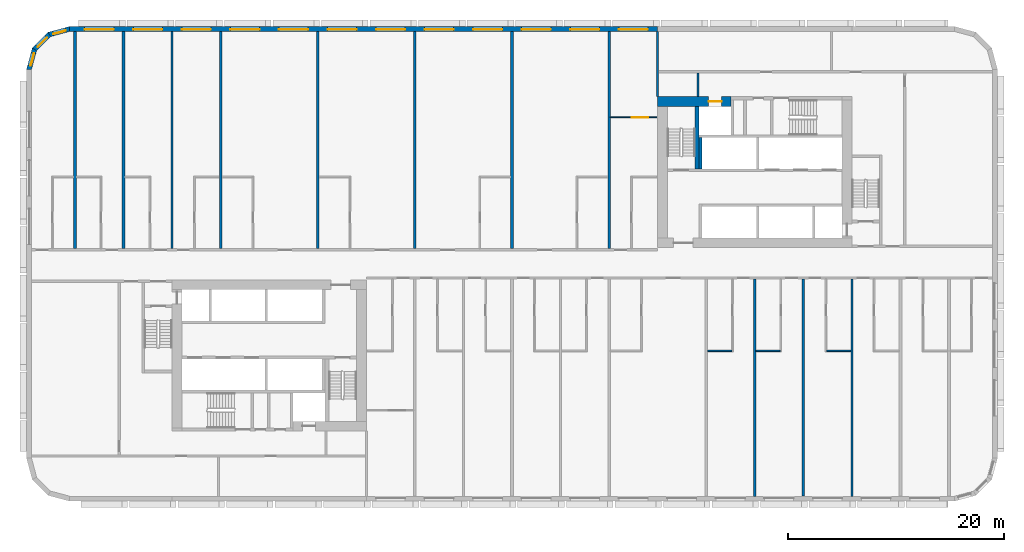
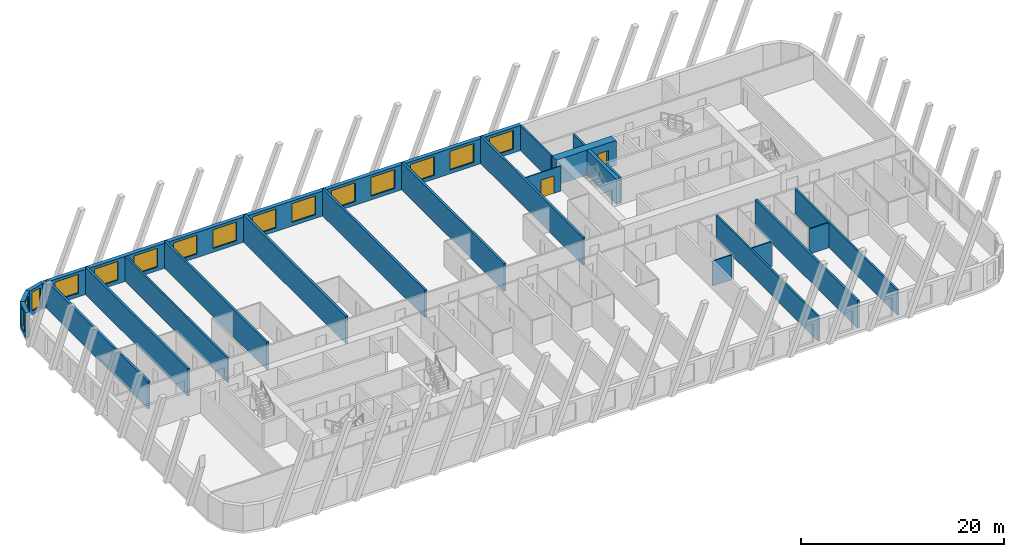
# One storey, part 6 of 13: 24 walls, 15 windows, 2 doors, 17 openings.
"""IFC4 building model written with IfcOpenShell, lengths in metres."""

from ifc_helpers import new_model, si_unit, direction, frame, frame_2d, origin, place, context, subcontext, project, spatial, polyline, rectangle, outline, extrude, material, layer, layer_set, type_object, element, fill, save


model = new_model("IFC4")

# Units and contexts
model_context = context("Model", 3, precision=1e-05, world=origin(), true_north=direction((0.0, 1.0)))
body_context = subcontext(model_context, "Body", "Model", "MODEL_VIEW")
ifc_project = project(units=[si_unit("LENGTHUNIT", "METRE"), si_unit("AREAUNIT", "SQUARE_METRE"), si_unit("VOLUMEUNIT", "CUBIC_METRE"), si_unit("PLANEANGLEUNIT", "RADIAN"), si_unit("MASSUNIT", "GRAM", prefix="KILO")], contexts=[model_context])

# Site, building, storey
site_placement = place(None, origin())
site = spatial("IfcSite", under=ifc_project, at=site_placement, CompositionType="ELEMENT")
building_placement = place(site_placement, origin())
building = spatial("IfcBuilding", under=site, at=building_placement, Name="Kajstack Hotel Tower", CompositionType="ELEMENT")
storey_placement = place(building_placement, frame((0.0, 0.0, 89.699951171875)))
storey = spatial("IfcBuildingStorey", under=building, at=storey_placement, Name="L18", CompositionType="ELEMENT", Elevation=89.699951171875)

# Wall, opening, door
ifc_material_1 = material(Name="Concrete C60/75", Category="concrete")
ifc_layer_1 = layer(ifc_material_1, 0.89990234375)
ifc_layer_set_1 = layer_set([ifc_layer_1], Name="Core wall 900")
wall_type_1 = type_object("IfcWallType", Name="Core wall 900", PredefinedType="SHEAR", material=ifc_layer_set_1)
wall_1_placement = place(storey_placement, frame((13.5, 15.050048828125, 0.0), z_axis=(0.0, 0.0, 1.0), x_axis=(1.0, 0.0, 0.0)))
wall_1 = element("IfcWall", 1, at=wall_1_placement, inside=storey, type_object=wall_type_1, Name="Core wall E RS", PredefinedType="SHEAR", context=body_context, shape_type="SweptSolid", body=[
    extrude(rectangle(XDim=6.800048828125, YDim=0.89990234375, at=frame_2d((3.39990234375, 0.0))), origin(), (0.0, 0.0, 1.0), 3.02001953125),
])
opening_1_placement = place(wall_1_placement, frame((4.72509765625, 0.0, 0.0)))
opening_1 = element("IfcOpeningElement", 2, at=opening_1_placement, cuts=wall_1, Name="Opening LD-SV2", PredefinedType="OPENING", context=body_context, shape_type="SweptSolid", body=[
    extrude(rectangle(XDim=1.199951171875, YDim=2.10009765625, at=frame_2d((0.60009765625, 1.050048828125))), frame((0.0, 0.4599609375, 0.0), z_axis=(0.0, -1.0, 0.0), x_axis=(1.0, 0.0, 0.0)), (0.0, 0.0, 1.0), 0.919921875),
])
ifc_material_2 = material(Name="Stainless steel", Category="steel")
door_type_1 = type_object("IfcDoorType", Name="Lift landing door 1200", OperationType="SLIDING_TO_LEFT", PredefinedType="DOOR", material=ifc_material_2)
door_1_placement = place(opening_1_placement, origin())
door_1 = element("IfcDoor", 3, at=door_1_placement, inside=storey, type_object=door_type_1, Name="Landing door SV2", OperationType="SLIDING_TO_LEFT", OverallHeight=2.10009765625, OverallWidth=1.199951171875, PredefinedType="DOOR", context=body_context, shape_type="SweptSolid", body=[
    extrude(rectangle(XDim=1.199951171875, YDim=2.10009765625, at=frame_2d((0.60009765625, 1.050048828125))), frame((0.0, 0.02490234375, 0.0), z_axis=(0.0, -1.0, 0.0), x_axis=(1.0, 0.0, 0.0)), (0.0, 0.0, 1.0), 0.050048828125),
])
fill(opening_1, door_1)

# Walls
ifc_material_3 = material(Name="Twin-frame gypsum board on steel studs, mineral wool", Category="steel")
ifc_layer_2 = layer(ifc_material_3, 0.199951171875)
ifc_layer_set_2 = layer_set([ifc_layer_2], Name="Demising wall 200")
wall_type_2 = type_object("IfcWallType", Name="Demising wall 200", PredefinedType="PARTITIONING", material=ifc_layer_set_2)
wall_2_placement = place(storey_placement, frame((13.5, 15.5, 0.0), z_axis=(0.0, 0.0, 1.0), x_axis=(0.0, 1.0, 0.0)))
element("IfcWall", 4, at=wall_2_placement, inside=storey, type_object=wall_type_2, Name="G-wall-L18-001", PredefinedType="PARTITIONING", context=body_context, shape_type="SweptSolid", body=[
    extrude(rectangle(XDim=6.050048828125, YDim=0.199951171875, at=frame_2d((3.02490234375, 0.0))), origin(), (0.0, 0.0, 1.0), 3.02001953125),
])
for number, where, z_axis, x_axis, name in (
    (5, (-31.5, 1.39990234375, 0.0), (0.0, 0.0, 1.0), (0.0, 1.0, 0.0), "G-wall-L18-008"),
    (6, (22.5, -21.550048828125, 0.0), (0.0, 0.0, 1.0), (0.0, 1.0, 0.0), "G-wall-L18-040"),
    (7, (31.5, -21.550048828125, 0.0), (0.0, 0.0, 1.0), (0.0, 1.0, 0.0), "G-wall-L18-045"),
):
    element("IfcWall", number, at=place(storey_placement, frame(where, z_axis=z_axis, x_axis=x_axis)), inside=storey, type_object=wall_type_2, Name=name, PredefinedType="PARTITIONING", context=body_context, shape_type="SweptSolid", body=[
        extrude(rectangle(XDim=20.150146484375, YDim=0.199951171875, at=frame_2d((10.0751953125, 0.0))), origin(), (0.0, 0.0, 1.0), 3.02001953125),
    ])

# Wall, openings, windows
ifc_material_4 = material(Name="Terracotta-faced brick masonry", Category="masonry")
ifc_layer_3 = layer(ifc_material_4, 0.449951171875)
ifc_layer_set_3 = layer_set([ifc_layer_3], Name="EW-TERRA")
wall_type_3 = type_object("IfcWallType", Name="EW-TERRA", PredefinedType="SOLIDWALL", material=ifc_layer_set_3)
wall_3_placement = place(storey_placement, frame((13.5, 21.77490234375, 0.0), z_axis=(0.0, 0.0, 1.0), x_axis=(-1.0, 0.0, 0.0)))
wall_3 = element("IfcWall", 8, at=wall_3_placement, inside=storey, type_object=wall_type_3, Name="E-wall-L18-11-02", PredefinedType="SOLIDWALL", context=body_context, shape_type="SweptSolid", body=[
    extrude(rectangle(XDim=54.5, YDim=0.449951171875, at=frame_2d((27.25, 0.0))), origin(), (0.0, 0.0, 1.0), 3.02001953125),
])
opening_2_placement = place(wall_3_placement, frame((0.89990234375, 0.0, 0.449951171875)))
opening_2 = element("IfcOpeningElement", 9, at=opening_2_placement, cuts=wall_3, Name="Opening W1", PredefinedType="OPENING", context=body_context, shape_type="SweptSolid", body=[
    extrude(rectangle(XDim=2.699951171875, YDim=2.25, at=frame_2d((1.35009765625, 1.125))), frame((0.0, 0.23486328125, 0.0), z_axis=(0.0, -1.0, 0.0), x_axis=(1.0, 0.0, 0.0)), (0.0, 0.0, 1.0), 0.469970703125),
])
opening_3_placement = place(wall_3_placement, frame((5.39990234375, 0.0, 0.449951171875)))
opening_3 = element("IfcOpeningElement", 10, at=opening_3_placement, cuts=wall_3, Name="Opening W1", PredefinedType="OPENING", context=body_context, shape_type="SweptSolid", body=[
    extrude(rectangle(XDim=2.699951171875, YDim=2.25, at=frame_2d((1.35009765625, 1.125))), frame((0.0, 0.23486328125, 0.0), z_axis=(0.0, -1.0, 0.0), x_axis=(1.0, 0.0, 0.0)), (0.0, 0.0, 1.0), 0.469970703125),
])
opening_4_placement = place(wall_3_placement, frame((9.89990234375, 0.0, 0.449951171875)))
opening_4 = element("IfcOpeningElement", 11, at=opening_4_placement, cuts=wall_3, Name="Opening W1", PredefinedType="OPENING", context=body_context, shape_type="SweptSolid", body=[
    extrude(rectangle(XDim=2.699951171875, YDim=2.25, at=frame_2d((1.35009765625, 1.125))), frame((0.0, 0.23486328125, 0.0), z_axis=(0.0, -1.0, 0.0), x_axis=(1.0, 0.0, 0.0)), (0.0, 0.0, 1.0), 0.469970703125),
])
opening_5_placement = place(wall_3_placement, frame((14.39990234375, 0.0, 0.449951171875)))
opening_5 = element("IfcOpeningElement", 12, at=opening_5_placement, cuts=wall_3, Name="Opening W1", PredefinedType="OPENING", context=body_context, shape_type="SweptSolid", body=[
    extrude(rectangle(XDim=2.699951171875, YDim=2.25, at=frame_2d((1.35009765625, 1.125))), frame((0.0, 0.23486328125, 0.0), z_axis=(0.0, -1.0, 0.0), x_axis=(1.0, 0.0, 0.0)), (0.0, 0.0, 1.0), 0.469970703125),
])
opening_6_placement = place(wall_3_placement, frame((18.89990234375, 0.0, 0.449951171875)))
opening_6 = element("IfcOpeningElement", 13, at=opening_6_placement, cuts=wall_3, Name="Opening W1", PredefinedType="OPENING", context=body_context, shape_type="SweptSolid", body=[
    extrude(rectangle(XDim=2.699951171875, YDim=2.25, at=frame_2d((1.35009765625, 1.125))), frame((0.0, 0.23486328125, 0.0), z_axis=(0.0, -1.0, 0.0), x_axis=(1.0, 0.0, 0.0)), (0.0, 0.0, 1.0), 0.469970703125),
])
opening_7_placement = place(wall_3_placement, frame((23.39990234375, 0.0, 0.449951171875)))
opening_7 = element("IfcOpeningElement", 14, at=opening_7_placement, cuts=wall_3, Name="Opening W1", PredefinedType="OPENING", context=body_context, shape_type="SweptSolid", body=[
    extrude(rectangle(XDim=2.699951171875, YDim=2.25, at=frame_2d((1.35009765625, 1.125))), frame((0.0, 0.23486328125, 0.0), z_axis=(0.0, -1.0, 0.0), x_axis=(1.0, 0.0, 0.0)), (0.0, 0.0, 1.0), 0.469970703125),
])
opening_8_placement = place(wall_3_placement, frame((27.89990234375, 0.0, 0.449951171875)))
opening_8 = element("IfcOpeningElement", 15, at=opening_8_placement, cuts=wall_3, Name="Opening W1", PredefinedType="OPENING", context=body_context, shape_type="SweptSolid", body=[
    extrude(rectangle(XDim=2.699951171875, YDim=2.25, at=frame_2d((1.35009765625, 1.125))), frame((0.0, 0.23486328125, 0.0), z_axis=(0.0, -1.0, 0.0), x_axis=(1.0, 0.0, 0.0)), (0.0, 0.0, 1.0), 0.469970703125),
])
opening_9_placement = place(wall_3_placement, frame((32.39990234375, 0.0, 0.449951171875)))
opening_9 = element("IfcOpeningElement", 16, at=opening_9_placement, cuts=wall_3, Name="Opening W1", PredefinedType="OPENING", context=body_context, shape_type="SweptSolid", body=[
    extrude(rectangle(XDim=2.699951171875, YDim=2.25, at=frame_2d((1.35009765625, 1.125))), frame((0.0, 0.23486328125, 0.0), z_axis=(0.0, -1.0, 0.0), x_axis=(1.0, 0.0, 0.0)), (0.0, 0.0, 1.0), 0.469970703125),
])
opening_10_placement = place(wall_3_placement, frame((36.89990234375, 0.0, 0.449951171875)))
opening_10 = element("IfcOpeningElement", 17, at=opening_10_placement, cuts=wall_3, Name="Opening W1", PredefinedType="OPENING", context=body_context, shape_type="SweptSolid", body=[
    extrude(rectangle(XDim=2.699951171875, YDim=2.25, at=frame_2d((1.35009765625, 1.125))), frame((0.0, 0.23486328125, 0.0), z_axis=(0.0, -1.0, 0.0), x_axis=(1.0, 0.0, 0.0)), (0.0, 0.0, 1.0), 0.469970703125),
])
opening_11_placement = place(wall_3_placement, frame((41.39990234375, 0.0, 0.449951171875)))
opening_11 = element("IfcOpeningElement", 18, at=opening_11_placement, cuts=wall_3, Name="Opening W1", PredefinedType="OPENING", context=body_context, shape_type="SweptSolid", body=[
    extrude(rectangle(XDim=2.699951171875, YDim=2.25, at=frame_2d((1.35009765625, 1.125))), frame((0.0, 0.23486328125, 0.0), z_axis=(0.0, -1.0, 0.0), x_axis=(1.0, 0.0, 0.0)), (0.0, 0.0, 1.0), 0.469970703125),
])
opening_12_placement = place(wall_3_placement, frame((45.89990234375, 0.0, 0.449951171875)))
opening_12 = element("IfcOpeningElement", 19, at=opening_12_placement, cuts=wall_3, Name="Opening W1", PredefinedType="OPENING", context=body_context, shape_type="SweptSolid", body=[
    extrude(rectangle(XDim=2.699951171875, YDim=2.25, at=frame_2d((1.35009765625, 1.125))), frame((0.0, 0.23486328125, 0.0), z_axis=(0.0, -1.0, 0.0), x_axis=(1.0, 0.0, 0.0)), (0.0, 0.0, 1.0), 0.469970703125),
])
opening_13_placement = place(wall_3_placement, frame((50.39990234375, 0.0, 0.449951171875)))
opening_13 = element("IfcOpeningElement", 20, at=opening_13_placement, cuts=wall_3, Name="Opening W1", PredefinedType="OPENING", context=body_context, shape_type="SweptSolid", body=[
    extrude(rectangle(XDim=2.699951171875, YDim=2.25, at=frame_2d((1.35009765625, 1.125))), frame((0.0, 0.23486328125, 0.0), z_axis=(0.0, -1.0, 0.0), x_axis=(1.0, 0.0, 0.0)), (0.0, 0.0, 1.0), 0.469970703125),
])
ifc_material_5 = material(Name="Timber-aluminium window, triple glazed", Category="wood")
window_type_1 = type_object("IfcWindowType", Name="WG1", PartitioningType="SINGLE_PANEL", PredefinedType="WINDOW", material=ifc_material_5)
window_1_placement = place(opening_2_placement, origin())
window_1 = element("IfcWindow", 21, at=window_1_placement, inside=storey, type_object=window_type_1, Name="Window W1 L18-11", OverallHeight=2.25, OverallWidth=2.699951171875, PartitioningType="SINGLE_PANEL", PredefinedType="WINDOW", context=body_context, shape_type="SweptSolid", body=[
    extrude(rectangle(XDim=2.699951171875, YDim=2.25, at=frame_2d((1.35009765625, 1.125))), frame((0.0, 0.090087890625, 0.0), z_axis=(0.0, -1.0, 0.0), x_axis=(1.0, 0.0, 0.0)), (0.0, 0.0, 1.0), 0.06005859375),
])
fill(opening_2, window_1)
window_2_placement = place(opening_3_placement, origin())
window_2 = element("IfcWindow", 22, at=window_2_placement, inside=storey, type_object=window_type_1, Name="Window W1 L18-11", OverallHeight=2.25, OverallWidth=2.699951171875, PartitioningType="SINGLE_PANEL", PredefinedType="WINDOW", context=body_context, shape_type="SweptSolid", body=[
    extrude(rectangle(XDim=2.699951171875, YDim=2.25, at=frame_2d((1.35009765625, 1.125))), frame((0.0, 0.090087890625, 0.0), z_axis=(0.0, -1.0, 0.0), x_axis=(1.0, 0.0, 0.0)), (0.0, 0.0, 1.0), 0.06005859375),
])
fill(opening_3, window_2)
window_3_placement = place(opening_4_placement, origin())
window_3 = element("IfcWindow", 23, at=window_3_placement, inside=storey, type_object=window_type_1, Name="Window W1 L18-11", OverallHeight=2.25, OverallWidth=2.699951171875, PartitioningType="SINGLE_PANEL", PredefinedType="WINDOW", context=body_context, shape_type="SweptSolid", body=[
    extrude(rectangle(XDim=2.699951171875, YDim=2.25, at=frame_2d((1.35009765625, 1.125))), frame((0.0, 0.090087890625, 0.0), z_axis=(0.0, -1.0, 0.0), x_axis=(1.0, 0.0, 0.0)), (0.0, 0.0, 1.0), 0.06005859375),
])
fill(opening_4, window_3)
window_4_placement = place(opening_5_placement, origin())
window_4 = element("IfcWindow", 24, at=window_4_placement, inside=storey, type_object=window_type_1, Name="Window W1 L18-11", OverallHeight=2.25, OverallWidth=2.699951171875, PartitioningType="SINGLE_PANEL", PredefinedType="WINDOW", context=body_context, shape_type="SweptSolid", body=[
    extrude(rectangle(XDim=2.699951171875, YDim=2.25, at=frame_2d((1.35009765625, 1.125))), frame((0.0, 0.090087890625, 0.0), z_axis=(0.0, -1.0, 0.0), x_axis=(1.0, 0.0, 0.0)), (0.0, 0.0, 1.0), 0.06005859375),
])
fill(opening_5, window_4)
window_5_placement = place(opening_6_placement, origin())
window_5 = element("IfcWindow", 25, at=window_5_placement, inside=storey, type_object=window_type_1, Name="Window W1 L18-11", OverallHeight=2.25, OverallWidth=2.699951171875, PartitioningType="SINGLE_PANEL", PredefinedType="WINDOW", context=body_context, shape_type="SweptSolid", body=[
    extrude(rectangle(XDim=2.699951171875, YDim=2.25, at=frame_2d((1.35009765625, 1.125))), frame((0.0, 0.090087890625, 0.0), z_axis=(0.0, -1.0, 0.0), x_axis=(1.0, 0.0, 0.0)), (0.0, 0.0, 1.0), 0.06005859375),
])
fill(opening_6, window_5)
window_6_placement = place(opening_7_placement, origin())
window_6 = element("IfcWindow", 26, at=window_6_placement, inside=storey, type_object=window_type_1, Name="Window W1 L18-11", OverallHeight=2.25, OverallWidth=2.699951171875, PartitioningType="SINGLE_PANEL", PredefinedType="WINDOW", context=body_context, shape_type="SweptSolid", body=[
    extrude(rectangle(XDim=2.699951171875, YDim=2.25, at=frame_2d((1.35009765625, 1.125))), frame((0.0, 0.090087890625, 0.0), z_axis=(0.0, -1.0, 0.0), x_axis=(1.0, 0.0, 0.0)), (0.0, 0.0, 1.0), 0.06005859375),
])
fill(opening_7, window_6)
window_7_placement = place(opening_8_placement, origin())
window_7 = element("IfcWindow", 27, at=window_7_placement, inside=storey, type_object=window_type_1, Name="Window W1 L18-11", OverallHeight=2.25, OverallWidth=2.699951171875, PartitioningType="SINGLE_PANEL", PredefinedType="WINDOW", context=body_context, shape_type="SweptSolid", body=[
    extrude(rectangle(XDim=2.699951171875, YDim=2.25, at=frame_2d((1.35009765625, 1.125))), frame((0.0, 0.090087890625, 0.0), z_axis=(0.0, -1.0, 0.0), x_axis=(1.0, 0.0, 0.0)), (0.0, 0.0, 1.0), 0.06005859375),
])
fill(opening_8, window_7)
window_8_placement = place(opening_9_placement, origin())
window_8 = element("IfcWindow", 28, at=window_8_placement, inside=storey, type_object=window_type_1, Name="Window W1 L18-11", OverallHeight=2.25, OverallWidth=2.699951171875, PartitioningType="SINGLE_PANEL", PredefinedType="WINDOW", context=body_context, shape_type="SweptSolid", body=[
    extrude(rectangle(XDim=2.699951171875, YDim=2.25, at=frame_2d((1.35009765625, 1.125))), frame((0.0, 0.090087890625, 0.0), z_axis=(0.0, -1.0, 0.0), x_axis=(1.0, 0.0, 0.0)), (0.0, 0.0, 1.0), 0.06005859375),
])
fill(opening_9, window_8)
window_9_placement = place(opening_10_placement, origin())
window_9 = element("IfcWindow", 29, at=window_9_placement, inside=storey, type_object=window_type_1, Name="Window W1 L18-11", OverallHeight=2.25, OverallWidth=2.699951171875, PartitioningType="SINGLE_PANEL", PredefinedType="WINDOW", context=body_context, shape_type="SweptSolid", body=[
    extrude(rectangle(XDim=2.699951171875, YDim=2.25, at=frame_2d((1.35009765625, 1.125))), frame((0.0, 0.090087890625, 0.0), z_axis=(0.0, -1.0, 0.0), x_axis=(1.0, 0.0, 0.0)), (0.0, 0.0, 1.0), 0.06005859375),
])
fill(opening_10, window_9)
window_10_placement = place(opening_11_placement, origin())
window_10 = element("IfcWindow", 30, at=window_10_placement, inside=storey, type_object=window_type_1, Name="Window W1 L18-11", OverallHeight=2.25, OverallWidth=2.699951171875, PartitioningType="SINGLE_PANEL", PredefinedType="WINDOW", context=body_context, shape_type="SweptSolid", body=[
    extrude(rectangle(XDim=2.699951171875, YDim=2.25, at=frame_2d((1.35009765625, 1.125))), frame((0.0, 0.090087890625, 0.0), z_axis=(0.0, -1.0, 0.0), x_axis=(1.0, 0.0, 0.0)), (0.0, 0.0, 1.0), 0.06005859375),
])
fill(opening_11, window_10)
window_11_placement = place(opening_12_placement, origin())
window_11 = element("IfcWindow", 31, at=window_11_placement, inside=storey, type_object=window_type_1, Name="Window W1 L18-11", OverallHeight=2.25, OverallWidth=2.699951171875, PartitioningType="SINGLE_PANEL", PredefinedType="WINDOW", context=body_context, shape_type="SweptSolid", body=[
    extrude(rectangle(XDim=2.699951171875, YDim=2.25, at=frame_2d((1.35009765625, 1.125))), frame((0.0, 0.090087890625, 0.0), z_axis=(0.0, -1.0, 0.0), x_axis=(1.0, 0.0, 0.0)), (0.0, 0.0, 1.0), 0.06005859375),
])
fill(opening_12, window_11)
window_12_placement = place(opening_13_placement, origin())
window_12 = element("IfcWindow", 32, at=window_12_placement, inside=storey, type_object=window_type_1, Name="Window W1 L18-11", OverallHeight=2.25, OverallWidth=2.699951171875, PartitioningType="SINGLE_PANEL", PredefinedType="WINDOW", context=body_context, shape_type="SweptSolid", body=[
    extrude(rectangle(XDim=2.699951171875, YDim=2.25, at=frame_2d((1.35009765625, 1.125))), frame((0.0, 0.090087890625, 0.0), z_axis=(0.0, -1.0, 0.0), x_axis=(1.0, 0.0, 0.0)), (0.0, 0.0, 1.0), 0.06005859375),
])
fill(opening_13, window_12)

# Wall, opening, window
wall_4_placement = place(storey_placement, frame((-40.941650390625, 21.78271484375, 0.0), z_axis=(0.0, 0.0, 1.0), x_axis=(-0.965926999034, -0.25881466832, 0.0)))
wall_4 = element("IfcWall", 33, at=wall_4_placement, inside=storey, type_object=wall_type_3, Name="E-wall-L18-12-00", PredefinedType="SOLIDWALL", context=body_context, shape_type="SweptSolid", body=[
    extrude(outline(polyline([(0.000244140625, -0.22509765625), (2.070556640625, -0.224853515625), (1.9501953125, 0.22509765625), (0.12060546875, 0.22509765625), (0.000244140625, -0.22509765625)])), origin(), (0.0, 0.0, 1.0), 3.02001953125),
])
opening_14_placement = place(wall_4_placement, frame((0.435302734375, 0.0, 0.449951171875)))
opening_14 = element("IfcOpeningElement", 34, at=opening_14_placement, cuts=wall_4, Name="Opening W3", PredefinedType="OPENING", context=body_context, shape_type="SweptSolid", body=[
    extrude(rectangle(XDim=1.199951171875, YDim=2.25, at=frame_2d((0.60009765625, 1.125))), frame((0.0, 0.23486328125, 0.0), z_axis=(0.0, -1.0, 0.0), x_axis=(1.0, 0.0, 0.0)), (0.0, 0.0, 1.0), 0.469970703125),
])
window_type_2 = type_object("IfcWindowType", Name="WG3", PartitioningType="SINGLE_PANEL", PredefinedType="WINDOW", material=ifc_material_5)
window_13_placement = place(opening_14_placement, origin())
window_13 = element("IfcWindow", 35, at=window_13_placement, inside=storey, type_object=window_type_2, Name="Window W3 L18-12", OverallHeight=2.25, OverallWidth=1.199951171875, PartitioningType="SINGLE_PANEL", PredefinedType="WINDOW", context=body_context, shape_type="SweptSolid", body=[
    extrude(rectangle(XDim=1.199951171875, YDim=2.25, at=frame_2d((0.60009765625, 1.125))), frame((0.0, 0.090087890625, 0.0), z_axis=(0.0, -1.0, 0.0), x_axis=(1.0, 0.0, 0.0)), (0.0, 0.0, 1.0), 0.06005859375),
])
fill(opening_14, window_13)

wall_5_placement = place(storey_placement, frame((-42.8408203125, 21.304931640625, 0.0), z_axis=(0.0, 0.0, 1.0), x_axis=(-0.707106781187, -0.707106781187, 0.0)))
wall_5 = element("IfcWall", 36, at=wall_5_placement, inside=storey, type_object=wall_type_3, Name="E-wall-L18-13-00", PredefinedType="SOLIDWALL", context=body_context, shape_type="SweptSolid", body=[
    extrude(outline(polyline([(0.0, -0.22509765625), (2.070556640625, -0.22509765625), (1.949951171875, 0.224853515625), (0.12060546875, 0.224853515625), (0.0, -0.22509765625)])), origin(), (0.0, 0.0, 1.0), 3.02001953125),
])
opening_15_placement = place(wall_5_placement, frame((0.435302734375, 0.0, 0.449951171875)))
opening_15 = element("IfcOpeningElement", 37, at=opening_15_placement, cuts=wall_5, Name="Opening W3", PredefinedType="OPENING", context=body_context, shape_type="SweptSolid", body=[
    extrude(rectangle(XDim=1.199951171875, YDim=2.25, at=frame_2d((0.60009765625, 1.125))), frame((0.0, 0.23486328125, 0.0), z_axis=(0.0, -1.0, 0.0), x_axis=(1.0, 0.0, 0.0)), (0.0, 0.0, 1.0), 0.469970703125),
])
window_14_placement = place(opening_15_placement, origin())
window_14 = element("IfcWindow", 38, at=window_14_placement, inside=storey, type_object=window_type_2, Name="Window W3 L18-13", OverallHeight=2.25, OverallWidth=1.199951171875, PartitioningType="SINGLE_PANEL", PredefinedType="WINDOW", context=body_context, shape_type="SweptSolid", body=[
    extrude(rectangle(XDim=1.199951171875, YDim=2.25, at=frame_2d((0.60009765625, 1.125))), frame((0.0, 0.090087890625, 0.0), z_axis=(0.0, -1.0, 0.0), x_axis=(1.0, 0.0, 0.0)), (0.0, 0.0, 1.0), 0.06005859375),
])
fill(opening_15, window_14)

wall_6_placement = place(storey_placement, frame((-44.246826171875, 19.941650390625, 0.0), z_axis=(0.0, 0.0, 1.0), x_axis=(-0.25881466832, -0.965926999034, 0.0)))
wall_6 = element("IfcWall", 39, at=wall_6_placement, inside=storey, type_object=wall_type_3, Name="E-wall-L18-14-00", PredefinedType="SOLIDWALL", context=body_context, shape_type="SweptSolid", body=[
    extrude(outline(polyline([(-0.000244140625, -0.224853515625), (2.0703125, -0.22509765625), (1.949951171875, 0.22509765625), (0.120361328125, 0.22509765625), (-0.000244140625, -0.224853515625)])), origin(), (0.0, 0.0, 1.0), 3.02001953125),
])
opening_16_placement = place(wall_6_placement, frame((0.435302734375, 0.0, 0.449951171875)))
opening_16 = element("IfcOpeningElement", 40, at=opening_16_placement, cuts=wall_6, Name="Opening W3", PredefinedType="OPENING", context=body_context, shape_type="SweptSolid", body=[
    extrude(rectangle(XDim=1.199951171875, YDim=2.25, at=frame_2d((0.60009765625, 1.125))), frame((0.0, 0.23486328125, 0.0), z_axis=(0.0, -1.0, 0.0), x_axis=(1.0, 0.0, 0.0)), (0.0, 0.0, 1.0), 0.469970703125),
])
window_15_placement = place(opening_16_placement, origin())
window_15 = element("IfcWindow", 41, at=window_15_placement, inside=storey, type_object=window_type_2, Name="Window W3 L18-14", OverallHeight=2.25, OverallWidth=1.199951171875, PartitioningType="SINGLE_PANEL", PredefinedType="WINDOW", context=body_context, shape_type="SweptSolid", body=[
    extrude(rectangle(XDim=1.199951171875, YDim=2.25, at=frame_2d((0.60009765625, 1.125))), frame((0.0, 0.090087890625, 0.0), z_axis=(0.0, -1.0, 0.0), x_axis=(1.0, 0.0, 0.0)), (0.0, 0.0, 1.0), 0.06005859375),
])
fill(opening_16, window_15)

# Walls
ifc_material_6 = material(Name="Gypsum board and tiled backer on steel studs", Category="steel")
ifc_layer_4 = layer(ifc_material_6, 0.125)
ifc_layer_set_4 = layer_set([ifc_layer_4], Name="En-suite wall 125")
wall_type_4 = type_object("IfcWallType", Name="En-suite wall 125", PredefinedType="PARTITIONING", material=ifc_layer_set_4)
for number, where, z_axis, x_axis, name in (
    (42, (18.125, -8.06201171875, 0.0), (0.0, 0.0, 1.0), (1.0, 0.0, 0.0), "G-wall-L18-042"),
    (43, (22.60009765625, -8.06201171875, 0.0), (0.0, 0.0, 1.0), (1.0, 0.0, 0.0), "G-wall-L18-044"),
    (44, (29.14990234375, -8.06201171875, 0.0), (0.0, 0.0, 1.0), (1.0, 0.0, 0.0), "G-wall-L18-047"),
):
    element("IfcWall", number, at=place(storey_placement, frame(where, z_axis=z_axis, x_axis=x_axis)), inside=storey, type_object=wall_type_4, Name=name, PredefinedType="PARTITIONING", context=body_context, shape_type="SweptSolid", body=[
        extrude(rectangle(XDim=2.25, YDim=0.125, at=frame_2d((1.125, 0.0))), origin(), (0.0, 0.0, 1.0), 3.02001953125),
    ])

# Wall, opening, door
ifc_material_7 = material(Name="Gypsum board on steel studs", Category="steel")
ifc_layer_5 = layer(ifc_material_7, 0.10009765625)
ifc_layer_set_5 = layer_set([ifc_layer_5], Name="Partition 100")
wall_type_5 = type_object("IfcWallType", Name="Partition 100", PredefinedType="PARTITIONING", material=ifc_layer_set_5)
wall_7_placement = place(storey_placement, frame((9.125, 13.574951171875, 0.0), z_axis=(0.0, 0.0, 1.0), x_axis=(1.0, 0.0, 0.0)))
wall_7 = element("IfcWall", 45, at=wall_7_placement, inside=storey, type_object=wall_type_5, Name="G-wall-L18-023", PredefinedType="PARTITIONING", context=body_context, shape_type="SweptSolid", body=[
    extrude(rectangle(XDim=4.27490234375, YDim=0.10009765625, at=frame_2d((2.137451171875, 0.0))), origin(), (0.0, 0.0, 1.0), 3.02001953125),
])
opening_17_placement = place(wall_7_placement, frame((1.987060546875, 0.0, 0.0)))
opening_17 = element("IfcOpeningElement", 46, at=opening_17_placement, cuts=wall_7, Name="Opening 18019", PredefinedType="OPENING", context=body_context, shape_type="SweptSolid", body=[
    extrude(rectangle(XDim=1.5, YDim=2.10009765625, at=frame_2d((0.75, 1.050048828125))), frame((0.0, 0.06005859375, 0.0), z_axis=(0.0, -1.0, 0.0), x_axis=(1.0, 0.0, 0.0)), (0.0, 0.0, 1.0), 0.1201171875),
])
ifc_material_8 = material(Name="Painted timber door leaves, glazed panels", Category="wood")
door_type_2 = type_object("IfcDoorType", Name="Double door 1500", OperationType="SINGLE_SWING_LEFT", PredefinedType="DOOR", material=ifc_material_8)
door_2_placement = place(opening_17_placement, origin())
door_2 = element("IfcDoor", 47, at=door_2_placement, inside=storey, type_object=door_type_2, Name="G-door-L18-19", OperationType="SINGLE_SWING_RIGHT", OverallHeight=2.10009765625, OverallWidth=1.5, PredefinedType="DOOR", context=body_context, shape_type="SweptSolid", body=[
    extrude(rectangle(XDim=1.5, YDim=2.10009765625, at=frame_2d((0.75, 1.050048828125))), frame((0.0, 0.02490234375, 0.0), z_axis=(0.0, -1.0, 0.0), x_axis=(1.0, 0.0, 0.0)), (0.0, 0.0, 1.0), 0.050048828125),
])
fill(opening_17, door_2)

# Walls
ifc_layer_6 = layer(ifc_material_1, 0.25)
ifc_layer_set_6 = layer_set([ifc_layer_6], Name="RC cross wall 250 C60/75")
wall_type_6 = type_object("IfcWallType", Name="RC cross wall 250 C60/75", PredefinedType="SHEAR", material=ifc_layer_set_6)
for number, where, z_axis, x_axis, name in (
    (48, (-40.5, 1.39990234375, 0.0), (0.0, 0.0, 1.0), (0.0, 1.0, 0.0), "S-wall-L18-01"),
    (49, (-36.0, 1.39990234375, 0.0), (0.0, 0.0, 1.0), (0.0, 1.0, 0.0), "S-wall-L18-02"),
    (50, (-27.0, 1.39990234375, 0.0), (0.0, 0.0, 1.0), (0.0, 1.0, 0.0), "S-wall-L18-03"),
    (51, (-18.0, 1.39990234375, 0.0), (0.0, 0.0, 1.0), (0.0, 1.0, 0.0), "S-wall-L18-04"),
    (52, (-9.0, 1.39990234375, 0.0), (0.0, 0.0, 1.0), (0.0, 1.0, 0.0), "S-wall-L18-06"),
    (53, (0.0, 1.39990234375, 0.0), (0.0, 0.0, 1.0), (0.0, 1.0, 0.0), "S-wall-L18-08"),
    (54, (9.0, 1.39990234375, 0.0), (0.0, 0.0, 1.0), (0.0, 1.0, 0.0), "S-wall-L18-10"),
    (55, (27.0, -21.5400390625, 0.0), (0.0, 0.0, 1.0), (0.0, 1.0, 0.0), "S-wall-L18-12"),
):
    element("IfcWall", number, at=place(storey_placement, frame(where, z_axis=z_axis, x_axis=x_axis)), inside=storey, type_object=wall_type_6, Name=name, PredefinedType="SHEAR", context=body_context, shape_type="SweptSolid", body=[
        extrude(rectangle(XDim=20.14013671875, YDim=0.25, at=frame_2d((10.070068359375, 0.0))), origin(), (0.0, 0.0, 1.0), 3.300048828125),
    ])
ifc_material_9 = material(Name="Gypsum board on steel studs, mineral wool", Category="steel")
ifc_layer_7 = layer(ifc_material_9, 0.199951171875)
ifc_layer_set_7 = layer_set([ifc_layer_7], Name="Service partition 200")
wall_type_7 = type_object("IfcWallType", Name="Service partition 200", PredefinedType="PARTITIONING", material=ifc_layer_set_7)
wall_8_placement = place(storey_placement, frame((17.25, 15.5, 0.0), z_axis=(0.0, 0.0, 1.0), x_axis=(0.0, 1.0, 0.0)))
element("IfcWall", 56, at=wall_8_placement, inside=storey, type_object=wall_type_7, Name="Partition E SCE", PredefinedType="PARTITIONING", context=body_context, shape_type="SweptSolid", body=[
    extrude(rectangle(XDim=2.199951171875, YDim=0.199951171875, at=frame_2d((1.10009765625, 0.0))), origin(), (0.0, 0.0, 1.0), 3.02001953125),
])
ifc_material_10 = material(Name="Concrete C50/60", Category="concrete")
ifc_layer_8 = layer(ifc_material_10, 0.25)
ifc_layer_set_8 = layer_set([ifc_layer_8], Name="Shaft wall 250")
wall_type_8 = type_object("IfcWallType", Name="Shaft wall 250", PredefinedType="SHEAR", material=ifc_layer_set_8)
wall_9_placement = place(storey_placement, frame((17.47509765625, 8.800048828125, 0.0), z_axis=(0.0, 0.0, 1.0), x_axis=(0.0, 1.0, 0.0)))
element("IfcWall", 57, at=wall_9_placement, inside=storey, type_object=wall_type_8, Name="Core wall E BE", PredefinedType="SHEAR", context=body_context, shape_type="SweptSolid", body=[
    extrude(rectangle(XDim=2.89990234375, YDim=0.25, at=frame_2d((1.449951171875, 0.0))), origin(), (0.0, 0.0, 1.0), 3.02001953125),
])
ifc_layer_9 = layer(ifc_material_10, 0.39990234375)
ifc_layer_set_9 = layer_set([ifc_layer_9], Name="Stair wall 400")
wall_type_9 = type_object("IfcWallType", Name="Stair wall 400", PredefinedType="SHEAR", material=ifc_layer_set_9)
wall_10_placement = place(storey_placement, frame((17.14990234375, 8.800048828125, 0.0), z_axis=(0.0, 0.0, 1.0), x_axis=(0.0, 1.0, 0.0)))
element("IfcWall", 58, at=wall_10_placement, inside=storey, type_object=wall_type_9, Name="Core wall E WW2", PredefinedType="SHEAR", context=body_context, shape_type="SweptSolid", body=[
    extrude(rectangle(XDim=5.800048828125, YDim=0.39990234375, at=frame_2d((2.89990234375, 0.0))), origin(), (0.0, 0.0, 1.0), 3.02001953125),
])

save(model, "model.ifc")
